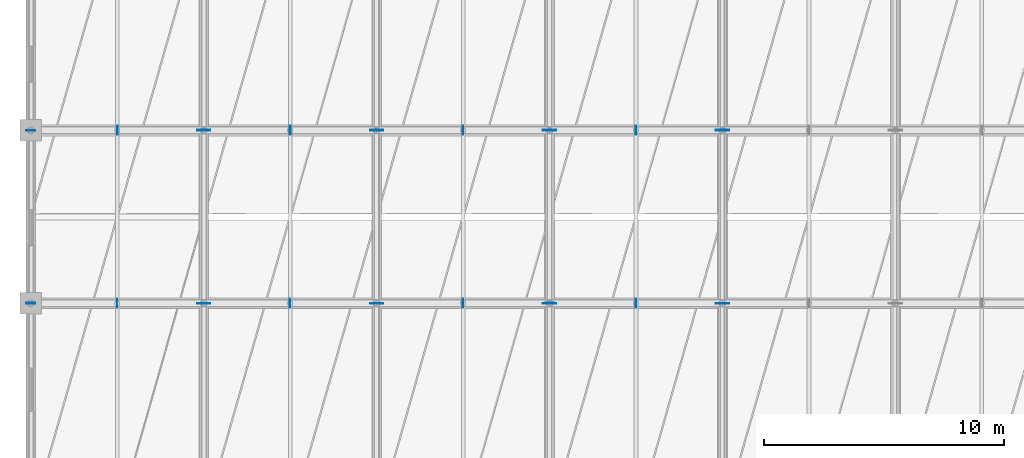
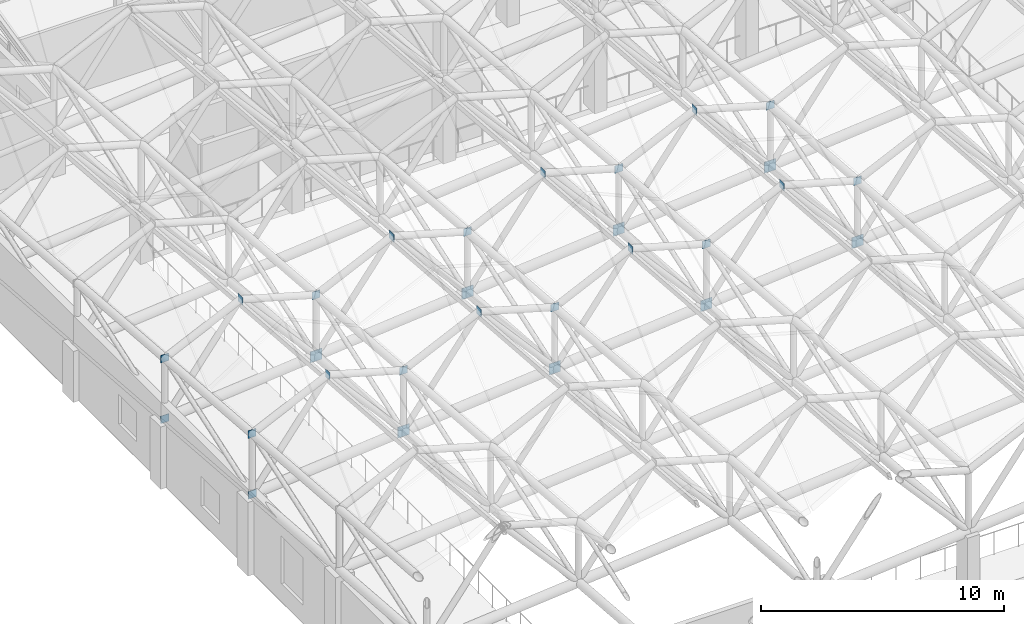
# One storey, part 79 of 113: 28 plates.
"""IFC4 building model written with IfcOpenShell, lengths in metres."""

from ifc_helpers import new_model, si_unit, direction, frame, origin, origin_2d, place, context, subcontext, project, spatial, rectangle, extrude, material, layer, layer_set, type_object, element, save


model = new_model("IFC4")

# Units and contexts
model_context = context("Model", 3, precision=1e-05, world=origin(), true_north=direction((0.0, 1.0)))
body_context = subcontext(model_context, "Body", "Model", "MODEL_VIEW")
ifc_project = project(units=[si_unit("LENGTHUNIT", "METRE"), si_unit("AREAUNIT", "SQUARE_METRE"), si_unit("VOLUMEUNIT", "CUBIC_METRE"), si_unit("PLANEANGLEUNIT", "RADIAN"), si_unit("MASSUNIT", "GRAM", prefix="KILO")], contexts=[model_context])

# Site, building, storey
site_placement = place(None, origin())
site = spatial("IfcSite", under=ifc_project, at=site_placement, CompositionType="ELEMENT")
building_placement = place(site_placement, origin())
building = spatial("IfcBuilding", under=site, at=building_placement, Name="Carrowvane Square Congress Hotel", CompositionType="ELEMENT")
storey_placement = place(building_placement, frame((0.0, 0.0, 15.0)))
storey = spatial("IfcBuildingStorey", under=building, at=storey_placement, Name="L03", CompositionType="ELEMENT", Elevation=15.0)

# Plates
ifc_material_1 = material(Name="Steel S355", Category="steel")
ifc_layer_1 = layer(ifc_material_1, 0.02001953125)
ifc_layer_set_1 = layer_set([ifc_layer_1], Name="Steel S355")
plate_type_1 = type_object("IfcPlateType", Name="PLT-GUS-20", PredefinedType="SHEET", material=ifc_layer_set_1)
for number, where, z_axis, x_axis, name in (
    (1, (18.800048828125, 27.0, 4.087890625), (0.0, 0.0, 1.0), (1.0, 0.0, 0.0), "Space-frame truss node gusset SN-03"),
    (2, (26.0, 27.0, 4.7451171875), (0.0, 0.0, 1.0), (1.0, 0.0, 0.0), "Space-frame truss node gusset SN-09"),
    (3, (33.199951171875, 27.0, 5.40234375), (0.0, 0.0, 1.0), (1.0, 0.0, 0.0), "Space-frame truss node gusset SN-15"),
    (4, (40.39990234375, 27.0, 6.05908203125), (0.0, 0.0, 1.0), (1.0, 0.0, 0.0), "Space-frame truss node gusset SN-21"),
):
    element("IfcPlate", number, at=place(storey_placement, frame(where, z_axis=z_axis, x_axis=x_axis)), inside=storey, type_object=plate_type_1, Name=name, PredefinedType="SHEET", context=body_context, shape_type="SweptSolid", body=[
        extrude(rectangle(XDim=0.550048828125, YDim=0.02001953125, at=origin_2d()), origin(), (0.0, 0.0, 1.0), 0.550048828125),
    ])
for number, where, z_axis, x_axis, name in (
    (5, (11.60009765625, 27.0, 6.565673828125), (0.0, 0.0, 1.0), (1.0, 0.0, 0.0), "L03 brace connection end plate 6"),
    (6, (11.60009765625, 34.199951171875, 2.9443359375), (0.0, 0.0, 1.0), (1.0, 0.0, 0.0), "L03 brace connection end plate 9"),
    (7, (18.800048828125, 27.0, 7.222900390625), (0.0, 0.0, 1.0), (1.0, 0.0, 0.0), "L03 brace connection end plate 18"),
    (8, (26.0, 34.199951171875, 7.30859375), (0.0, 0.0, 1.0), (1.0, 0.0, 0.0), "L03 brace connection end plate 27"),
    (9, (40.39990234375, 27.0, 9.1943359375), (0.0, 0.0, 1.0), (1.0, 0.0, 0.0), "L03 brace connection end plate 42"),
):
    element("IfcPlate", number, at=place(storey_placement, frame(where, z_axis=z_axis, x_axis=x_axis)), inside=storey, type_object=plate_type_1, Name=name, PredefinedType="SHEET", context=body_context, shape_type="SweptSolid", body=[
        extrude(rectangle(XDim=0.3798828125, YDim=0.02001953125, at=origin_2d()), origin(), (0.0, 0.0, 1.0), 0.3798828125),
    ])
for number, where, z_axis, x_axis, name in (
    (10, (22.39990234375, 27.0, 8.911376953125), (0.0, 0.0, 1.0), (1.0, 0.0, 0.0), "L03 brace connection end plate 99"),
    (11, (15.199951171875, 34.199951171875, 7.682861328125), (0.0, 0.0, 1.0), (1.0, 0.0, 0.0), "L03 brace connection end plate 105"),
    (12, (36.800048828125, 34.199951171875, 9.654296875), (0.0, 0.0, 1.0), (1.0, 0.0, 0.0), "L03 brace connection end plate 108"),
):
    element("IfcPlate", number, at=place(storey_placement, frame(where, z_axis=z_axis, x_axis=x_axis)), inside=storey, type_object=plate_type_1, Name=name, PredefinedType="SHEET", context=body_context, shape_type="SweptSolid", body=[
        extrude(rectangle(XDim=0.02001953125, YDim=0.3798828125, at=origin_2d()), origin(), (0.0, 0.0, 1.0), 0.3798828125),
    ])
ifc_material_2 = material(Name="Steel S355", Category="steel")
ifc_layer_2 = layer(ifc_material_2, 0.030029296875)
ifc_layer_set_2 = layer_set([ifc_layer_2], Name="Steel S355")
plate_type_2 = type_object("IfcPlateType", Name="PLT-GUS-30", PredefinedType="USERDEFINED", material=ifc_layer_set_2)
for number, where, z_axis, x_axis, name in (
    (13, (18.800048828125, 34.199951171875, 3.5166015625), (0.0, 0.0, 1.0), (1.0, 0.0, 0.0), "Space-frame truss node gusset SN-04"),
    (14, (26.0, 34.199951171875, 4.17333984375), (0.0, 0.0, 1.0), (1.0, 0.0, 0.0), "Space-frame truss node gusset SN-10"),
    (15, (33.199951171875, 34.199951171875, 4.83056640625), (0.0, 0.0, 1.0), (1.0, 0.0, 0.0), "Space-frame truss node gusset SN-16"),
    (16, (40.39990234375, 34.199951171875, 5.48779296875), (0.0, 0.0, 1.0), (1.0, 0.0, 0.0), "Space-frame truss node gusset SN-22"),
):
    element("IfcPlate", number, at=place(storey_placement, frame(where, z_axis=z_axis, x_axis=x_axis)), inside=storey, type_object=plate_type_2, Name=name, ObjectType="GUSSET PLATE", PredefinedType="USERDEFINED", context=body_context, shape_type="SweptSolid", body=[
        extrude(rectangle(XDim=0.550048828125, YDim=0.030029296875, at=origin_2d()), origin(), (0.0, 0.0, 1.0), 0.550048828125),
    ])
for number, where, z_axis, x_axis, name in (
    (17, (11.60009765625, 27.0, 3.515869140625), (0.0, 0.0, 1.0), (1.0, 0.0, 0.0), "L03 brace connection end plate 7"),
    (18, (18.800048828125, 34.199951171875, 6.6513671875), (0.0, 0.0, 1.0), (1.0, 0.0, 0.0), "L03 brace connection end plate 19"),
    (19, (33.199951171875, 27.0, 8.537109375), (0.0, 0.0, 1.0), (1.0, 0.0, 0.0), "L03 brace connection end plate 34"),
    (20, (40.39990234375, 34.199951171875, 8.623046875), (0.0, 0.0, 1.0), (1.0, 0.0, 0.0), "L03 brace connection end plate 43"),
):
    element("IfcPlate", number, at=place(storey_placement, frame(where, z_axis=z_axis, x_axis=x_axis)), inside=storey, type_object=plate_type_2, Name=name, ObjectType="GUSSET PLATE", PredefinedType="USERDEFINED", context=body_context, shape_type="SweptSolid", body=[
        extrude(rectangle(XDim=0.3798828125, YDim=0.030029296875, at=origin_2d()), origin(), (0.0, 0.0, 1.0), 0.3798828125),
    ])
for number, where, z_axis, x_axis, name in (
    (21, (29.60009765625, 27.0, 9.568603515625), (0.0, 0.0, 1.0), (1.0, 0.0, 0.0), "L03 brace connection end plate 100"),
    (22, (22.39990234375, 34.199951171875, 8.340087890625), (0.0, 0.0, 1.0), (1.0, 0.0, 0.0), "L03 brace connection end plate 106"),
):
    element("IfcPlate", number, at=place(storey_placement, frame(where, z_axis=z_axis, x_axis=x_axis)), inside=storey, type_object=plate_type_2, Name=name, ObjectType="GUSSET PLATE", PredefinedType="USERDEFINED", context=body_context, shape_type="SweptSolid", body=[
        extrude(rectangle(XDim=0.030029296875, YDim=0.3798828125, at=origin_2d()), origin(), (0.0, 0.0, 1.0), 0.3798828125),
    ])
ifc_material_3 = material(Name="Steel S355", Category="steel")
ifc_layer_3 = layer(ifc_material_3, 0.01611328125)
ifc_layer_set_3 = layer_set([ifc_layer_3], Name="Steel S355")
plate_type_3 = type_object("IfcPlateType", Name="PLT-STF-16", PredefinedType="USERDEFINED", material=ifc_layer_set_3)
for number, where, z_axis, x_axis, name in (
    (23, (11.60009765625, 34.199951171875, 5.994384765625), (0.0, 0.0, 1.0), (1.0, 0.0, 0.0), "L03 brace connection end plate 8"),
    (24, (26.0, 27.0, 7.880126953125), (0.0, 0.0, 1.0), (1.0, 0.0, 0.0), "L03 brace connection end plate 26"),
    (25, (33.199951171875, 34.199951171875, 7.9658203125), (0.0, 0.0, 1.0), (1.0, 0.0, 0.0), "L03 brace connection end plate 35"),
):
    element("IfcPlate", number, at=place(storey_placement, frame(where, z_axis=z_axis, x_axis=x_axis)), inside=storey, type_object=plate_type_3, Name=name, ObjectType="STIFFENER PLATE", PredefinedType="USERDEFINED", context=body_context, shape_type="SweptSolid", body=[
        extrude(rectangle(XDim=0.3798828125, YDim=0.01611328125, at=origin_2d()), origin(), (0.0, 0.0, 1.0), 0.3798828125),
    ])
for number, where, z_axis, x_axis, name in (
    (26, (15.199951171875, 27.0, 8.25439453125), (0.0, 0.0, 1.0), (1.0, 0.0, 0.0), "L03 brace connection end plate 98"),
    (27, (36.800048828125, 27.0, 10.225830078125), (0.0, 0.0, 1.0), (1.0, 0.0, 0.0), "L03 brace connection end plate 101"),
    (28, (29.60009765625, 34.199951171875, 8.9970703125), (0.0, 0.0, 1.0), (1.0, 0.0, 0.0), "L03 brace connection end plate 107"),
):
    element("IfcPlate", number, at=place(storey_placement, frame(where, z_axis=z_axis, x_axis=x_axis)), inside=storey, type_object=plate_type_3, Name=name, ObjectType="STIFFENER PLATE", PredefinedType="USERDEFINED", context=body_context, shape_type="SweptSolid", body=[
        extrude(rectangle(XDim=0.01611328125, YDim=0.3798828125, at=origin_2d()), origin(), (0.0, 0.0, 1.0), 0.3798828125),
    ])

save(model, "model.ifc")
